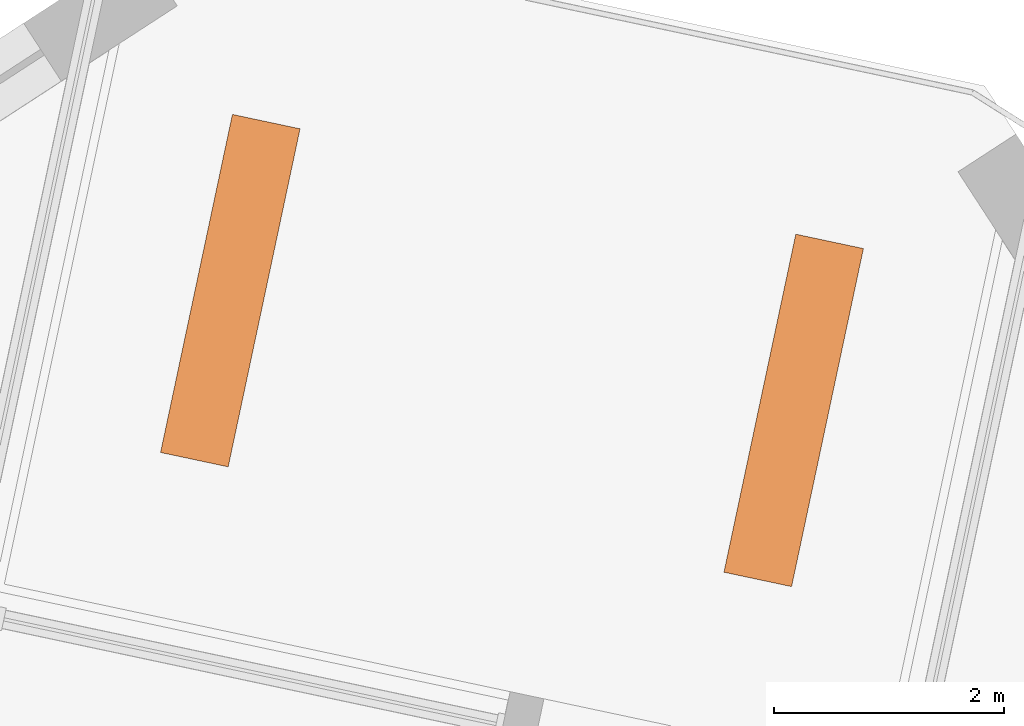
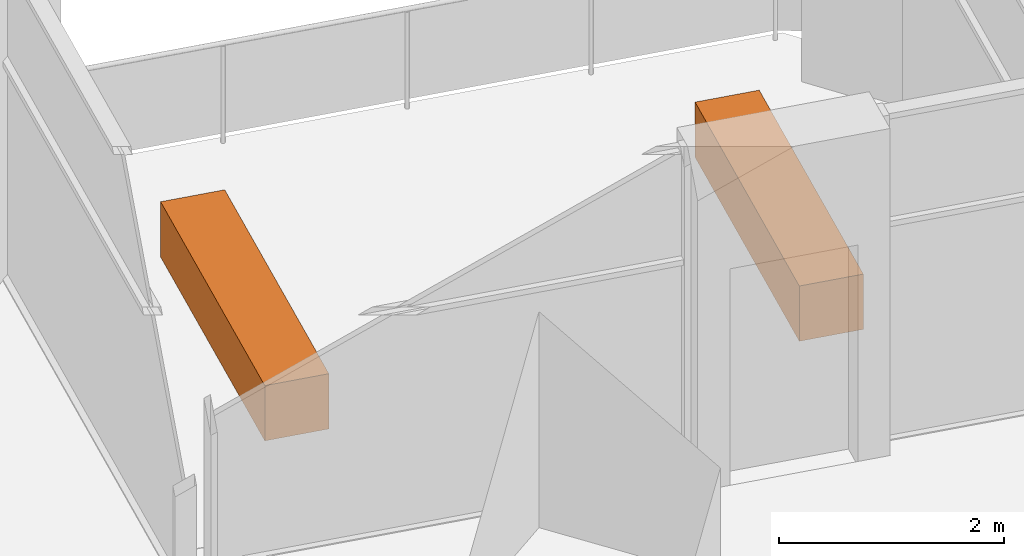
# One storey, part 12 of 12: 2 proxies.
"""IFC4 building model written with IfcOpenShell, lengths in metres."""

from ifc_helpers import new_model, si_unit, direction, frame, origin, origin_2d, place, context, subcontext, project, spatial, rectangle, extrude, element, save


model = new_model("IFC4")

# Units and contexts
model_context = context("Model", 3, precision=1e-05, world=origin(), true_north=direction((0.0, 1.0)))
body_context = subcontext(model_context, "Body", "Model", "MODEL_VIEW")
ifc_project = project(units=[si_unit("LENGTHUNIT", "METRE"), si_unit("AREAUNIT", "SQUARE_METRE"), si_unit("VOLUMEUNIT", "CUBIC_METRE"), si_unit("PLANEANGLEUNIT", "RADIAN"), si_unit("MASSUNIT", "GRAM", prefix="KILO")], contexts=[model_context])

# Site, building, storey
site_placement = place(None, origin())
site = spatial("IfcSite", under=ifc_project, at=site_placement, CompositionType="ELEMENT")
building_placement = place(site_placement, origin())
building = spatial("IfcBuilding", under=site, at=building_placement, Name="Dilmun Exchange Tower", CompositionType="ELEMENT")
storey_placement = place(building_placement, frame((0.0, 0.0, 159.699951171875)))
storey = spatial("IfcBuildingStorey", under=building, at=storey_placement, Name="L37", CompositionType="ELEMENT", Elevation=159.699951171875)

# Proxies
for number, where, z_axis, x_axis, name in (
    (1, (11.847412109375, 31.4697265625, 0.0), (0.0, 0.0, 1.0), (0.207911690818, 0.978147600734, 0.0), "PLANTER Date palm L37.1"),
    (2, (6.956787109375, 32.50927734375, 0.0), (0.0, 0.0, 1.0), (0.207911690818, 0.978147600734, 0.0), "PLANTER Date palm L37.2"),
):
    element("IfcBuildingElementProxy", number, at=place(storey_placement, frame(where, z_axis=z_axis, x_axis=x_axis)), inside=storey, Name=name, ObjectType="PLANTER", PredefinedType="USERDEFINED", context=body_context, shape_type="SweptSolid", body=[
        extrude(rectangle(XDim=3.0, YDim=0.60009765625, at=origin_2d()), origin(), (0.0, 0.0, 1.0), 0.60009765625),
    ])

save(model, "model.ifc")
